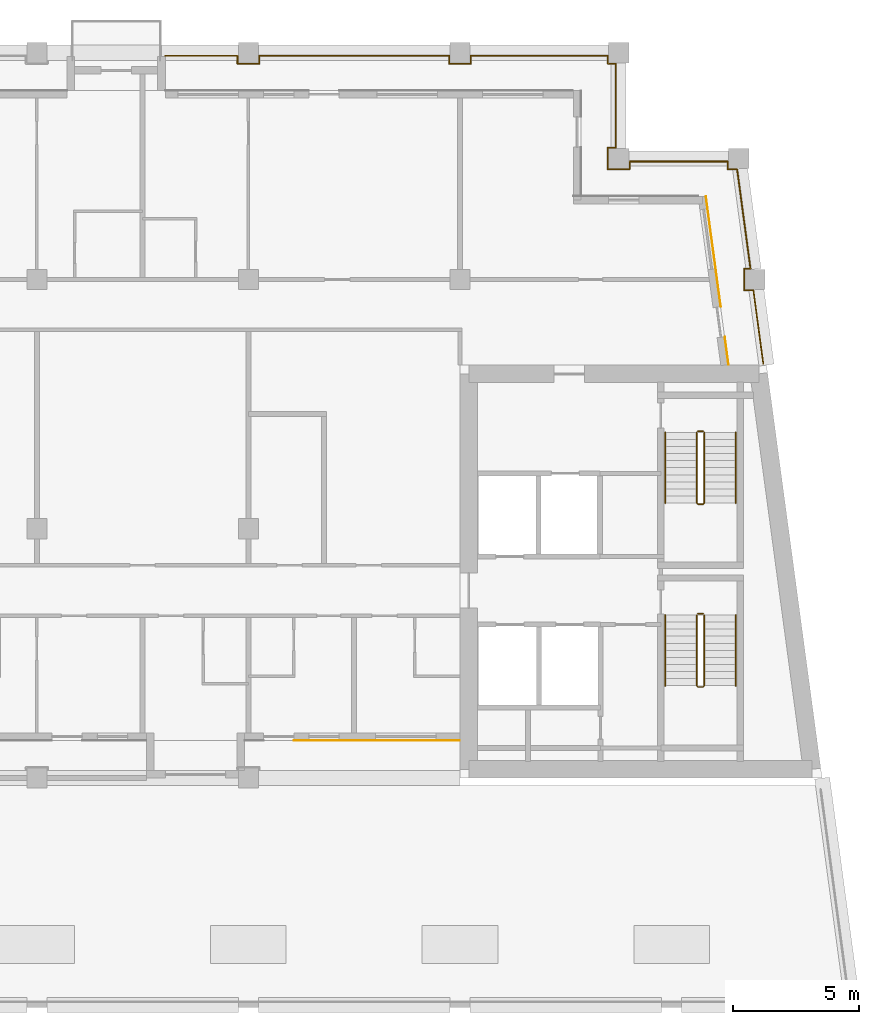
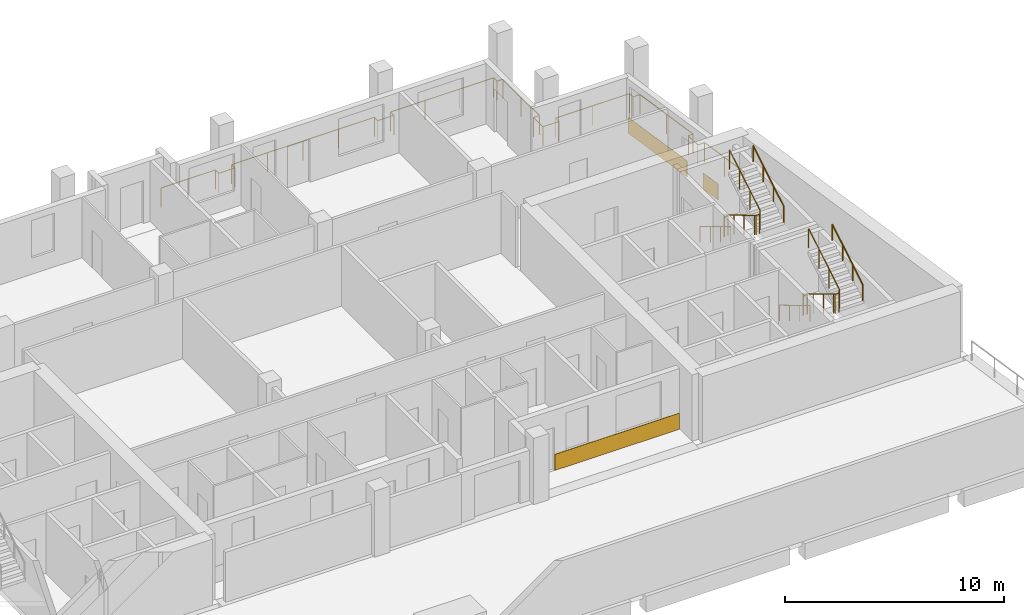
# One storey, part 10 of 12: 9 railings, 3 coverings.
"""IFC4 building model written with IfcOpenShell, lengths in metres."""

from ifc_helpers import new_model, si_unit, direction, frame, origin, origin_2d, place, context, subcontext, project, spatial, rectangle, circle, extrude, material, layer, layer_set, type_object, element, save


model = new_model("IFC4")

# Units and contexts
model_context = context("Model", 3, precision=1e-05, world=origin(), true_north=direction((0.0, 1.0)))
body_context = subcontext(model_context, "Body", "Model", "MODEL_VIEW")
ifc_project = project(units=[si_unit("LENGTHUNIT", "METRE"), si_unit("AREAUNIT", "SQUARE_METRE"), si_unit("VOLUMEUNIT", "CUBIC_METRE"), si_unit("PLANEANGLEUNIT", "RADIAN"), si_unit("MASSUNIT", "GRAM", prefix="KILO")], contexts=[model_context])

# Site, building, storey
site_placement = place(None, origin())
site = spatial("IfcSite", under=ifc_project, at=site_placement, CompositionType="ELEMENT")
building_placement = place(site_placement, origin())
building = spatial("IfcBuilding", under=site, at=building_placement, Name="Candeia Pilgrim Tower and Theatre", CompositionType="ELEMENT")
storey_placement = place(building_placement, frame((0.0, 0.0, 281.199951171875)))
storey = spatial("IfcBuildingStorey", under=building, at=storey_placement, Name="L68", CompositionType="ELEMENT", Elevation=281.199951171875)

# Railing
ifc_material_1 = material(Name="Stainless steel balustrade", Category="steel")
railing_type_1 = type_object("IfcRailingType", Name="G1 loggia guard 1100", PredefinedType="GUARDRAIL", material=ifc_material_1)
railing_1_placement = place(storey_placement, frame((114.300048828125, 144.679931640625, 0.0)))
element("IfcRailing", 1, at=railing_1_placement, inside=storey, type_object=railing_type_1, Name="Guard L68.2", PredefinedType="GUARDRAIL", context=body_context, shape_type="SweptSolid", body=[
    extrude(circle(Radius=0.02392578125, at=origin_2d()), frame((0.0, 0.0, 1.076171875), z_axis=(1.0, 0.0, 0.0), x_axis=(0.0, 1.0, 0.0)), (0.0, 0.0, 1.0), 2.869873046875),
    extrude(circle(Radius=0.02392578125, at=origin_2d()), frame((2.869873046875, 0.0, 1.076171875), z_axis=(0.0, -1.0, 0.0), x_axis=(1.0, 0.0, 0.0)), (0.0, 0.0, 1.0), 0.309814453125),
    extrude(circle(Radius=0.02392578125, at=origin_2d()), frame((2.869873046875, -0.309814453125, 1.076171875), z_axis=(1.0, 0.0, 0.0), x_axis=(0.0, 1.0, 0.0)), (0.0, 0.0, 1.0), 0.860107421875),
    extrude(circle(Radius=0.02392578125, at=origin_2d()), frame((3.72998046875, -0.309814453125, 1.076171875), z_axis=(0.0, 1.0, 0.0), x_axis=(-1.0, 0.0, 0.0)), (0.0, 0.0, 1.0), 0.309814453125),
    extrude(circle(Radius=0.02392578125, at=origin_2d()), frame((3.72998046875, 0.0, 1.076171875), z_axis=(1.0, 0.0, 0.0), x_axis=(0.0, 1.0, 0.0)), (0.0, 0.0, 1.0), 7.5400390625),
    extrude(circle(Radius=0.02392578125, at=origin_2d()), frame((11.27001953125, 0.0, 1.076171875), z_axis=(0.0, -1.0, 0.0), x_axis=(1.0, 0.0, 0.0)), (0.0, 0.0, 1.0), 0.309814453125),
    extrude(circle(Radius=0.02392578125, at=origin_2d()), frame((11.27001953125, -0.309814453125, 1.076171875), z_axis=(1.0, 0.0, 0.0), x_axis=(0.0, 1.0, 0.0)), (0.0, 0.0, 1.0), 0.85986328125),
    extrude(circle(Radius=0.02392578125, at=origin_2d()), frame((12.1298828125, -0.309814453125, 1.076171875), z_axis=(0.0, 1.0, 0.0), x_axis=(-1.0, 0.0, 0.0)), (0.0, 0.0, 1.0), 0.309814453125),
    extrude(circle(Radius=0.02392578125, at=origin_2d()), frame((12.1298828125, 0.0, 1.076171875), z_axis=(1.0, 0.0, 0.0), x_axis=(0.0, 1.0, 0.0)), (0.0, 0.0, 1.0), 5.440185546875),
    extrude(circle(Radius=0.02392578125, at=origin_2d()), frame((17.570068359375, 0.0, 1.076171875), z_axis=(0.0, -1.0, 0.0), x_axis=(1.0, 0.0, 0.0)), (0.0, 0.0, 1.0), 0.309814453125),
    extrude(circle(Radius=0.02392578125, at=origin_2d()), frame((17.570068359375, -0.309814453125, 1.076171875), z_axis=(1.0, 0.0, 0.0), x_axis=(0.0, 1.0, 0.0)), (0.0, 0.0, 1.0), 0.309814453125),
    extrude(circle(Radius=0.02392578125, at=origin_2d()), frame((17.8798828125, -0.309814453125, 1.076171875), z_axis=(0.0, -1.0, 0.0), x_axis=(1.0, 0.0, 0.0)), (0.0, 0.0, 1.0), 3.340087890625),
    extrude(circle(Radius=0.02392578125, at=origin_2d()), frame((17.8798828125, -3.64990234375, 1.076171875), z_axis=(-1.0, 0.0, 0.0), x_axis=(0.0, -1.0, 0.0)), (0.0, 0.0, 1.0), 0.309814453125),
    extrude(circle(Radius=0.02392578125, at=origin_2d()), frame((17.570068359375, -3.64990234375, 1.076171875), z_axis=(0.0, -1.0, 0.0), x_axis=(1.0, 0.0, 0.0)), (0.0, 0.0, 1.0), 0.860107421875),
    extrude(circle(Radius=0.02392578125, at=origin_2d()), frame((17.570068359375, -4.510009765625, 1.076171875), z_axis=(1.0, 0.0, 0.0), x_axis=(0.0, 1.0, 0.0)), (0.0, 0.0, 1.0), 0.85986328125),
    extrude(circle(Radius=0.02392578125, at=origin_2d()), frame((18.429931640625, -4.510009765625, 1.076171875), z_axis=(0.0, 1.0, 0.0), x_axis=(-1.0, 0.0, 0.0)), (0.0, 0.0, 1.0), 0.31005859375),
    extrude(circle(Radius=0.02392578125, at=origin_2d()), frame((18.429931640625, -4.199951171875, 1.076171875), z_axis=(1.0, 0.0, 0.0), x_axis=(0.0, 1.0, 0.0)), (0.0, 0.0, 1.0), 3.905517578125),
    extrude(circle(Radius=0.02392578125, at=origin_2d()), frame((22.33544921875, -4.199951171875, 1.076171875), z_axis=(0.0, -1.0, 0.0), x_axis=(1.0, 0.0, 0.0)), (0.0, 0.0, 1.0), 0.31005859375),
    extrude(circle(Radius=0.02392578125, at=origin_2d()), frame((22.33544921875, -4.510009765625, 1.076171875), z_axis=(1.0, 0.0, 0.0), x_axis=(0.0, 1.0, 0.0)), (0.0, 0.0, 1.0), 0.36669921875),
    extrude(circle(Radius=0.02392578125, at=origin_2d()), frame((22.7021484375, -4.510009765625, 1.076171875), z_axis=(0.133386492616, -0.991064096609, 0.0), x_axis=(0.991064096609, 0.133386492616, 0.0)), (0.0, 0.0, 1.0), 3.9755859375),
    extrude(circle(Radius=0.02392578125, at=origin_2d()), frame((23.232421875, -8.449951171875, 1.076171875), z_axis=(-1.0, 0.0, 0.0), x_axis=(0.0, -1.0, 0.0)), (0.0, 0.0, 1.0), 0.2509765625),
    extrude(circle(Radius=0.02392578125, at=origin_2d()), frame((22.9814453125, -8.449951171875, 1.076171875), z_axis=(0.0, -1.0, 0.0), x_axis=(1.0, 0.0, 0.0)), (0.0, 0.0, 1.0), 0.85986328125),
    extrude(circle(Radius=0.02392578125, at=origin_2d()), frame((22.9814453125, -9.309814453125, 1.076171875), z_axis=(1.0, 0.0, 0.0), x_axis=(0.0, 1.0, 0.0)), (0.0, 0.0, 1.0), 0.366943359375),
    extrude(circle(Radius=0.02392578125, at=origin_2d()), frame((23.348388671875, -9.309814453125, 1.076171875), z_axis=(0.133401056725, -0.991062136329, 0.0), x_axis=(0.991062136329, 0.133401056725, 0.0)), (0.0, 0.0, 1.0), 2.946533203125),
    extrude(circle(Radius=0.02099609375, at=origin_2d()), origin(), (0.0, 0.0, 1.0), 1.052001953125),
    extrude(circle(Radius=0.02099609375, at=origin_2d()), frame((1.43505859375, 0.0, 0.0)), (0.0, 0.0, 1.0), 1.052001953125),
    extrude(circle(Radius=0.02099609375, at=origin_2d()), frame((2.869873046875, 0.0, 0.0)), (0.0, 0.0, 1.0), 1.052001953125),
    extrude(circle(Radius=0.02099609375, at=origin_2d()), frame((2.869873046875, -0.309814453125, 0.0)), (0.0, 0.0, 1.0), 1.052001953125),
    extrude(circle(Radius=0.02099609375, at=origin_2d()), frame((3.72998046875, -0.309814453125, 0.0)), (0.0, 0.0, 1.0), 1.052001953125),
    extrude(circle(Radius=0.02099609375, at=origin_2d()), frame((3.72998046875, 0.0, 0.0)), (0.0, 0.0, 1.0), 1.052001953125),
    extrude(circle(Radius=0.02099609375, at=origin_2d()), frame((5.614990234375, 0.0, 0.0)), (0.0, 0.0, 1.0), 1.052001953125),
    extrude(circle(Radius=0.02099609375, at=origin_2d()), frame((7.5, 0.0, 0.0)), (0.0, 0.0, 1.0), 1.052001953125),
    extrude(circle(Radius=0.02099609375, at=origin_2d()), frame((9.385009765625, 0.0, 0.0)), (0.0, 0.0, 1.0), 1.052001953125),
    extrude(circle(Radius=0.02099609375, at=origin_2d()), frame((11.27001953125, 0.0, 0.0)), (0.0, 0.0, 1.0), 1.052001953125),
    extrude(circle(Radius=0.02099609375, at=origin_2d()), frame((11.27001953125, -0.309814453125, 0.0)), (0.0, 0.0, 1.0), 1.052001953125),
    extrude(circle(Radius=0.02099609375, at=origin_2d()), frame((12.1298828125, -0.309814453125, 0.0)), (0.0, 0.0, 1.0), 1.052001953125),
    extrude(circle(Radius=0.02099609375, at=origin_2d()), frame((12.1298828125, 0.0, 0.0)), (0.0, 0.0, 1.0), 1.052001953125),
    extrude(circle(Radius=0.02099609375, at=origin_2d()), frame((13.943359375, 0.0, 0.0)), (0.0, 0.0, 1.0), 1.052001953125),
    extrude(circle(Radius=0.02099609375, at=origin_2d()), frame((15.756591796875, 0.0, 0.0)), (0.0, 0.0, 1.0), 1.052001953125),
    extrude(circle(Radius=0.02099609375, at=origin_2d()), frame((17.570068359375, 0.0, 0.0)), (0.0, 0.0, 1.0), 1.052001953125),
    extrude(circle(Radius=0.02099609375, at=origin_2d()), frame((17.570068359375, -0.309814453125, 0.0)), (0.0, 0.0, 1.0), 1.052001953125),
    extrude(circle(Radius=0.02099609375, at=origin_2d()), frame((17.8798828125, -0.309814453125, 0.0)), (0.0, 0.0, 1.0), 1.052001953125),
    extrude(circle(Radius=0.02099609375, at=origin_2d()), frame((17.8798828125, -1.97998046875, 0.0)), (0.0, 0.0, 1.0), 1.052001953125),
    extrude(circle(Radius=0.02099609375, at=origin_2d()), frame((17.8798828125, -3.64990234375, 0.0)), (0.0, 0.0, 1.0), 1.052001953125),
    extrude(circle(Radius=0.02099609375, at=origin_2d()), frame((17.570068359375, -3.64990234375, 0.0)), (0.0, 0.0, 1.0), 1.052001953125),
    extrude(circle(Radius=0.02099609375, at=origin_2d()), frame((17.570068359375, -4.510009765625, 0.0)), (0.0, 0.0, 1.0), 1.052001953125),
    extrude(circle(Radius=0.02099609375, at=origin_2d()), frame((18.429931640625, -4.510009765625, 0.0)), (0.0, 0.0, 1.0), 1.052001953125),
    extrude(circle(Radius=0.02099609375, at=origin_2d()), frame((18.429931640625, -4.199951171875, 0.0)), (0.0, 0.0, 1.0), 1.052001953125),
    extrude(circle(Radius=0.02099609375, at=origin_2d()), frame((20.3828125, -4.199951171875, 0.0)), (0.0, 0.0, 1.0), 1.052001953125),
    extrude(circle(Radius=0.02099609375, at=origin_2d()), frame((22.33544921875, -4.199951171875, 0.0)), (0.0, 0.0, 1.0), 1.052001953125),
    extrude(circle(Radius=0.02099609375, at=origin_2d()), frame((22.33544921875, -4.510009765625, 0.0)), (0.0, 0.0, 1.0), 1.052001953125),
    extrude(circle(Radius=0.02099609375, at=origin_2d()), frame((22.7021484375, -4.510009765625, 0.0)), (0.0, 0.0, 1.0), 1.052001953125),
    extrude(circle(Radius=0.02099609375, at=origin_2d()), frame((22.96728515625, -6.47998046875, 0.0)), (0.0, 0.0, 1.0), 1.052001953125),
    extrude(circle(Radius=0.02099609375, at=origin_2d()), frame((23.232421875, -8.449951171875, 0.0)), (0.0, 0.0, 1.0), 1.052001953125),
    extrude(circle(Radius=0.02099609375, at=origin_2d()), frame((22.9814453125, -8.449951171875, 0.0)), (0.0, 0.0, 1.0), 1.052001953125),
    extrude(circle(Radius=0.02099609375, at=origin_2d()), frame((22.9814453125, -9.309814453125, 0.0)), (0.0, 0.0, 1.0), 1.052001953125),
    extrude(circle(Radius=0.02099609375, at=origin_2d()), frame((23.348388671875, -9.309814453125, 0.0)), (0.0, 0.0, 1.0), 1.052001953125),
    extrude(circle(Radius=0.02099609375, at=origin_2d()), frame((23.544921875, -10.77001953125, 0.0)), (0.0, 0.0, 1.0), 1.052001953125),
    extrude(circle(Radius=0.02099609375, at=origin_2d()), frame((23.741455078125, -12.22998046875, 0.0)), (0.0, 0.0, 1.0), 1.052001953125),
])

# Coverings
ifc_material_2 = material(Name="Glazed ceramic tile bottle green")
ifc_layer = layer(ifc_material_2, 0.02001953125)
ifc_layer_set = layer_set([ifc_layer], Name="Glazed ceramic tile bottle green")
covering_type = type_object("IfcCoveringType", Name="Glazed ceramic tile bottle green", PredefinedType="CLADDING", material=ifc_layer_set)
covering_1_placement = place(storey_placement, frame((122.699951171875, 117.489990234375, 0.0), z_axis=(0.0, 0.0, 1.0), x_axis=(1.0, 0.0, 0.0)))
element("IfcCovering", 2, at=covering_1_placement, inside=storey, type_object=covering_type, Name="Tile cladding bottle green L68", PredefinedType="CLADDING", context=body_context, shape_type="SweptSolid", body=[
    extrude(rectangle(XDim=6.60009765625, YDim=0.02001953125, at=origin_2d()), origin(), (0.0, 0.0, 1.0), 0.89990234375),
])
covering_2_placement = place(storey_placement, frame((136.588623046875, 132.97412109375, 0.0), z_axis=(0.0, 0.0, 1.0), x_axis=(-0.133412012145, 0.991060661622, 0.0)))
element("IfcCovering", 3, at=covering_2_placement, inside=storey, type_object=covering_type, Name="Tile cladding bottle green L68", PredefinedType="CLADDING", context=body_context, shape_type="SweptSolid", body=[
    extrude(rectangle(XDim=1.115234375, YDim=0.02001953125, at=origin_2d()), origin(), (0.0, 0.0, 1.0), 0.89990234375),
])
covering_3_placement = place(storey_placement, frame((136.058837890625, 136.90869140625, 0.0), z_axis=(0.0, 0.0, 1.0), x_axis=(-0.133412012145, 0.991060661622, 0.0)))
element("IfcCovering", 4, at=covering_3_placement, inside=storey, type_object=covering_type, Name="Tile cladding bottle green L68", PredefinedType="CLADDING", context=body_context, shape_type="SweptSolid", body=[
    extrude(rectangle(XDim=4.4248046875, YDim=0.02001953125, at=origin_2d()), origin(), (0.0, 0.0, 1.0), 0.89990234375),
])

# Railings
railing_type_2 = type_object("IfcRailingType", Name="RL-GUARD-1100", PredefinedType="GUARDRAIL", material=ifc_material_1)
railing_2_placement = place(storey_placement, frame((135.39794921875, 122.47509765625, 0.168212890625)))
element("IfcRailing", 5, at=railing_2_placement, inside=storey, type_object=railing_type_2, Name="L68 ST3 stair guard 1", PredefinedType="GUARDRAIL", context=body_context, shape_type="SweptSolid", body=[
    extrude(circle(Radius=0.02392578125, at=origin_2d()), frame((0.0, 0.0, 1.076171875), z_axis=(0.0, -0.857242210791, 0.514913383045), x_axis=(1.0, 0.0, 0.0)), (0.0, 0.0, 1.0), 3.266357421875),
    extrude(circle(Radius=0.02392578125, at=origin_2d()), frame((0.0, -2.800048828125, 2.7578125), z_axis=(0.707106781187, -0.707106781187, 0.0), x_axis=(0.707106781187, 0.707106781187, 0.0)), (0.0, 0.0, 1.0), 0.07080078125),
    extrude(circle(Radius=0.02392578125, at=origin_2d()), frame((0.050048828125, -2.85009765625, 2.7578125), z_axis=(1.0, 0.0, 0.0), x_axis=(0.0, 1.0, 0.0)), (0.0, 0.0, 1.0), 0.199951171875),
    extrude(circle(Radius=0.02392578125, at=origin_2d()), frame((0.25, -2.85009765625, 2.7578125), z_axis=(0.274243871929, 0.274243871929, 0.92172696468), x_axis=(-0.707106781187, 0.707106781187, 0.0)), (0.0, 0.0, 1.0), 0.1826171875),
    extrude(circle(Radius=0.02392578125, at=origin_2d()), frame((0.300048828125, -2.800048828125, 2.92626953125), z_axis=(0.0, 0.857275202839, 0.514858452973), x_axis=(-1.0, 0.0, 0.0)), (0.0, 0.0, 1.0), 3.26611328125),
    extrude(circle(Radius=0.02099609375, at=origin_2d()), origin(), (0.0, 0.0, 1.0), 1.052001953125),
    extrude(circle(Radius=0.02099609375, at=origin_2d()), frame((0.0, -0.933349609375, 0.560546875)), (0.0, 0.0, 1.0), 1.052001953125),
    extrude(circle(Radius=0.02099609375, at=origin_2d()), frame((0.0, -1.86669921875, 1.121337890625)), (0.0, 0.0, 1.0), 1.052001953125),
    extrude(circle(Radius=0.02099609375, at=origin_2d()), frame((0.0, -2.800048828125, 1.681884765625)), (0.0, 0.0, 1.0), 1.052001953125),
    extrude(circle(Radius=0.02099609375, at=origin_2d()), frame((0.050048828125, -2.85009765625, 1.681884765625)), (0.0, 0.0, 1.0), 1.052001953125),
    extrude(circle(Radius=0.02099609375, at=origin_2d()), frame((0.25, -2.85009765625, 1.681884765625)), (0.0, 0.0, 1.0), 1.052001953125),
    extrude(circle(Radius=0.02099609375, at=origin_2d()), frame((0.300048828125, -2.800048828125, 1.85009765625)), (0.0, 0.0, 1.0), 1.052001953125),
    extrude(circle(Radius=0.02099609375, at=origin_2d()), frame((0.300048828125, -1.86669921875, 2.41064453125)), (0.0, 0.0, 1.0), 1.052001953125),
    extrude(circle(Radius=0.02099609375, at=origin_2d()), frame((0.300048828125, -0.933349609375, 2.97119140625)), (0.0, 0.0, 1.0), 1.052001953125),
    extrude(circle(Radius=0.02099609375, at=origin_2d()), frame((0.300048828125, 0.0, 3.53173828125)), (0.0, 0.0, 1.0), 1.052001953125),
])
railing_3_placement = place(storey_placement, frame((135.447998046875, 122.52490234375, 0.0)))
element("IfcRailing", 6, at=railing_3_placement, inside=storey, type_object=railing_type_2, Name="L68 ST3 stair guard 2", PredefinedType="GUARDRAIL", context=body_context, shape_type="SweptSolid", body=[
    extrude(circle(Radius=0.02392578125, at=origin_2d()), frame((0.0, 0.0, 1.076171875), z_axis=(1.0, 0.0, 0.0), x_axis=(0.0, 1.0, 0.0)), (0.0, 0.0, 1.0), 0.199951171875),
    extrude(circle(Radius=0.02099609375, at=origin_2d()), origin(), (0.0, 0.0, 1.0), 1.052001953125),
    extrude(circle(Radius=0.02099609375, at=origin_2d()), frame((0.199951171875, 0.0, 0.0)), (0.0, 0.0, 1.0), 1.052001953125),
])
railing_4_placement = place(storey_placement, frame((135.39794921875, 129.72509765625, 0.168212890625)))
element("IfcRailing", 7, at=railing_4_placement, inside=storey, type_object=railing_type_2, Name="L68 ST4 stair guard 1", PredefinedType="GUARDRAIL", context=body_context, shape_type="SweptSolid", body=[
    extrude(circle(Radius=0.02392578125, at=origin_2d()), frame((0.0, 0.0, 1.076171875), z_axis=(0.0, -0.857242210791, 0.514913383045), x_axis=(1.0, 0.0, 0.0)), (0.0, 0.0, 1.0), 3.266357421875),
    extrude(circle(Radius=0.02392578125, at=origin_2d()), frame((0.0, -2.800048828125, 2.7578125), z_axis=(0.707106781187, -0.707106781187, 0.0), x_axis=(0.707106781187, 0.707106781187, 0.0)), (0.0, 0.0, 1.0), 0.07080078125),
    extrude(circle(Radius=0.02392578125, at=origin_2d()), frame((0.050048828125, -2.85009765625, 2.7578125), z_axis=(1.0, 0.0, 0.0), x_axis=(0.0, 1.0, 0.0)), (0.0, 0.0, 1.0), 0.199951171875),
    extrude(circle(Radius=0.02392578125, at=origin_2d()), frame((0.25, -2.85009765625, 2.7578125), z_axis=(0.274243871929, 0.274243871929, 0.92172696468), x_axis=(-0.707106781187, 0.707106781187, 0.0)), (0.0, 0.0, 1.0), 0.1826171875),
    extrude(circle(Radius=0.02392578125, at=origin_2d()), frame((0.300048828125, -2.800048828125, 2.92626953125), z_axis=(0.0, 0.857275202839, 0.514858452973), x_axis=(-1.0, 0.0, 0.0)), (0.0, 0.0, 1.0), 3.26611328125),
    extrude(circle(Radius=0.02099609375, at=origin_2d()), origin(), (0.0, 0.0, 1.0), 1.052001953125),
    extrude(circle(Radius=0.02099609375, at=origin_2d()), frame((0.0, -0.933349609375, 0.560546875)), (0.0, 0.0, 1.0), 1.052001953125),
    extrude(circle(Radius=0.02099609375, at=origin_2d()), frame((0.0, -1.86669921875, 1.121337890625)), (0.0, 0.0, 1.0), 1.052001953125),
    extrude(circle(Radius=0.02099609375, at=origin_2d()), frame((0.0, -2.800048828125, 1.681884765625)), (0.0, 0.0, 1.0), 1.052001953125),
    extrude(circle(Radius=0.02099609375, at=origin_2d()), frame((0.050048828125, -2.85009765625, 1.681884765625)), (0.0, 0.0, 1.0), 1.052001953125),
    extrude(circle(Radius=0.02099609375, at=origin_2d()), frame((0.25, -2.85009765625, 1.681884765625)), (0.0, 0.0, 1.0), 1.052001953125),
    extrude(circle(Radius=0.02099609375, at=origin_2d()), frame((0.300048828125, -2.800048828125, 1.85009765625)), (0.0, 0.0, 1.0), 1.052001953125),
    extrude(circle(Radius=0.02099609375, at=origin_2d()), frame((0.300048828125, -1.86669921875, 2.41064453125)), (0.0, 0.0, 1.0), 1.052001953125),
    extrude(circle(Radius=0.02099609375, at=origin_2d()), frame((0.300048828125, -0.933349609375, 2.97119140625)), (0.0, 0.0, 1.0), 1.052001953125),
    extrude(circle(Radius=0.02099609375, at=origin_2d()), frame((0.300048828125, 0.0, 3.53173828125)), (0.0, 0.0, 1.0), 1.052001953125),
])
railing_5_placement = place(storey_placement, frame((135.447998046875, 129.77490234375, 0.0)))
element("IfcRailing", 8, at=railing_5_placement, inside=storey, type_object=railing_type_2, Name="L68 ST4 stair guard 2", PredefinedType="GUARDRAIL", context=body_context, shape_type="SweptSolid", body=[
    extrude(circle(Radius=0.02392578125, at=origin_2d()), frame((0.0, 0.0, 1.076171875), z_axis=(1.0, 0.0, 0.0), x_axis=(0.0, 1.0, 0.0)), (0.0, 0.0, 1.0), 0.199951171875),
    extrude(circle(Radius=0.02099609375, at=origin_2d()), origin(), (0.0, 0.0, 1.0), 1.052001953125),
    extrude(circle(Radius=0.02099609375, at=origin_2d()), frame((0.199951171875, 0.0, 0.0)), (0.0, 0.0, 1.0), 1.052001953125),
])
ifc_material_3 = material(Name="Stainless steel handrail", Category="steel")
railing_type_3 = type_object("IfcRailingType", Name="RL-HANDRAIL-900", PredefinedType="HANDRAIL", material=ifc_material_3)
railing_6_placement = place(storey_placement, frame((134.14794921875, 122.47509765625, 0.168212890625)))
element("IfcRailing", 9, at=railing_6_placement, inside=storey, type_object=railing_type_3, Name="L68 ST3 stair handrail 1", PredefinedType="HANDRAIL", context=body_context, shape_type="SweptSolid", body=[
    extrude(circle(Radius=0.02392578125, at=origin_2d()), frame((0.0, 0.0, 0.8759765625), z_axis=(0.0, -0.857242210791, 0.514913383045), x_axis=(1.0, 0.0, 0.0)), (0.0, 0.0, 1.0), 3.266357421875),
    extrude(circle(Radius=0.02099609375, at=origin_2d()), origin(), (0.0, 0.0, 1.0), 0.851806640625),
    extrude(circle(Radius=0.02099609375, at=origin_2d()), frame((0.0, -0.933349609375, 0.560546875)), (0.0, 0.0, 1.0), 0.851806640625),
    extrude(circle(Radius=0.02099609375, at=origin_2d()), frame((0.0, -1.86669921875, 1.121337890625)), (0.0, 0.0, 1.0), 0.851806640625),
    extrude(circle(Radius=0.02099609375, at=origin_2d()), frame((0.0, -2.800048828125, 1.681884765625)), (0.0, 0.0, 1.0), 0.851806640625),
])
railing_7_placement = place(storey_placement, frame((136.947998046875, 119.675048828125, 2.018310546875)))
element("IfcRailing", 10, at=railing_7_placement, inside=storey, type_object=railing_type_3, Name="L68 ST3 stair handrail 2", PredefinedType="HANDRAIL", context=body_context, shape_type="SweptSolid", body=[
    extrude(circle(Radius=0.02392578125, at=origin_2d()), frame((0.0, 0.0, 0.8759765625), z_axis=(0.0, 0.857275202839, 0.514858452973), x_axis=(-1.0, 0.0, 0.0)), (0.0, 0.0, 1.0), 3.26611328125),
    extrude(circle(Radius=0.02099609375, at=origin_2d()), origin(), (0.0, 0.0, 1.0), 0.851806640625),
    extrude(circle(Radius=0.02099609375, at=origin_2d()), frame((0.0, 0.933349609375, 0.560546875)), (0.0, 0.0, 1.0), 0.851806640625),
    extrude(circle(Radius=0.02099609375, at=origin_2d()), frame((0.0, 1.86669921875, 1.12109375)), (0.0, 0.0, 1.0), 0.851806640625),
    extrude(circle(Radius=0.02099609375, at=origin_2d()), frame((0.0, 2.800048828125, 1.681640625)), (0.0, 0.0, 1.0), 0.851806640625),
])
railing_8_placement = place(storey_placement, frame((134.14794921875, 129.72509765625, 0.168212890625)))
element("IfcRailing", 11, at=railing_8_placement, inside=storey, type_object=railing_type_3, Name="L68 ST4 stair handrail 1", PredefinedType="HANDRAIL", context=body_context, shape_type="SweptSolid", body=[
    extrude(circle(Radius=0.02392578125, at=origin_2d()), frame((0.0, 0.0, 0.8759765625), z_axis=(0.0, -0.857242210791, 0.514913383045), x_axis=(1.0, 0.0, 0.0)), (0.0, 0.0, 1.0), 3.266357421875),
    extrude(circle(Radius=0.02099609375, at=origin_2d()), origin(), (0.0, 0.0, 1.0), 0.851806640625),
    extrude(circle(Radius=0.02099609375, at=origin_2d()), frame((0.0, -0.933349609375, 0.560546875)), (0.0, 0.0, 1.0), 0.851806640625),
    extrude(circle(Radius=0.02099609375, at=origin_2d()), frame((0.0, -1.86669921875, 1.121337890625)), (0.0, 0.0, 1.0), 0.851806640625),
    extrude(circle(Radius=0.02099609375, at=origin_2d()), frame((0.0, -2.800048828125, 1.681884765625)), (0.0, 0.0, 1.0), 0.851806640625),
])
railing_9_placement = place(storey_placement, frame((136.947998046875, 126.925048828125, 2.018310546875)))
element("IfcRailing", 12, at=railing_9_placement, inside=storey, type_object=railing_type_3, Name="L68 ST4 stair handrail 2", PredefinedType="HANDRAIL", context=body_context, shape_type="SweptSolid", body=[
    extrude(circle(Radius=0.02392578125, at=origin_2d()), frame((0.0, 0.0, 0.8759765625), z_axis=(0.0, 0.857275202839, 0.514858452973), x_axis=(-1.0, 0.0, 0.0)), (0.0, 0.0, 1.0), 3.26611328125),
    extrude(circle(Radius=0.02099609375, at=origin_2d()), origin(), (0.0, 0.0, 1.0), 0.851806640625),
    extrude(circle(Radius=0.02099609375, at=origin_2d()), frame((0.0, 0.933349609375, 0.560546875)), (0.0, 0.0, 1.0), 0.851806640625),
    extrude(circle(Radius=0.02099609375, at=origin_2d()), frame((0.0, 1.86669921875, 1.12109375)), (0.0, 0.0, 1.0), 0.851806640625),
    extrude(circle(Radius=0.02099609375, at=origin_2d()), frame((0.0, 2.800048828125, 1.681640625)), (0.0, 0.0, 1.0), 0.851806640625),
])

save(model, "model.ifc")
